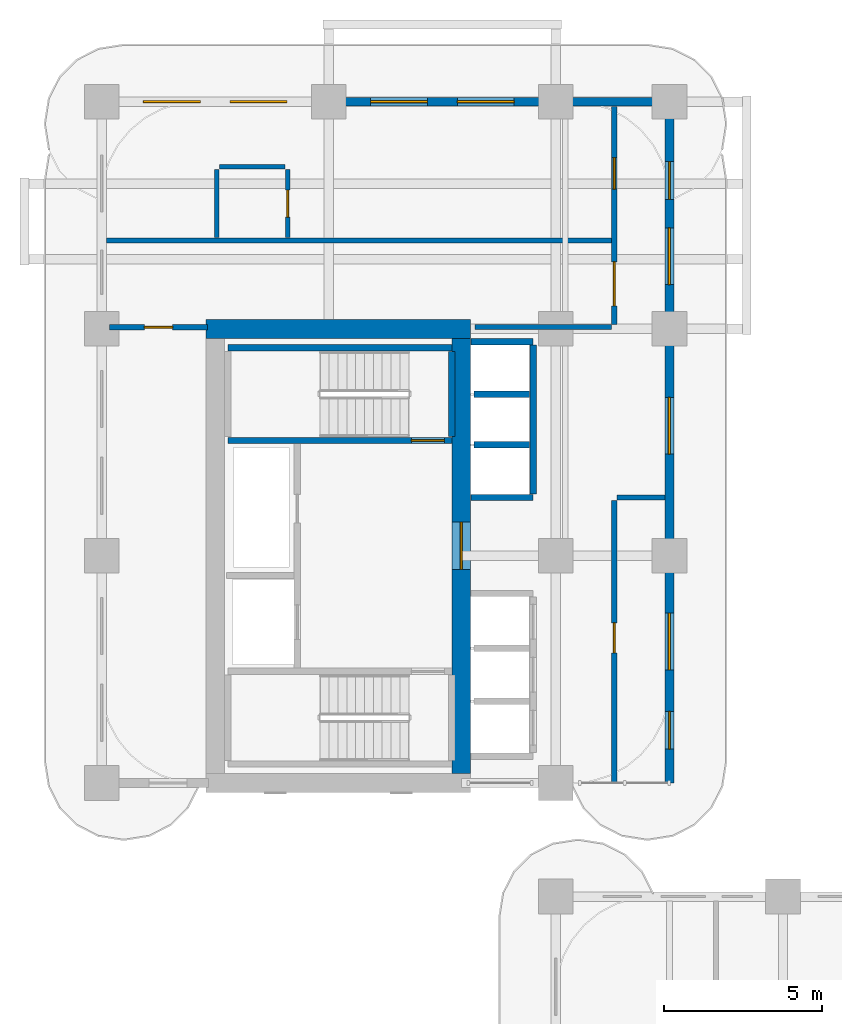
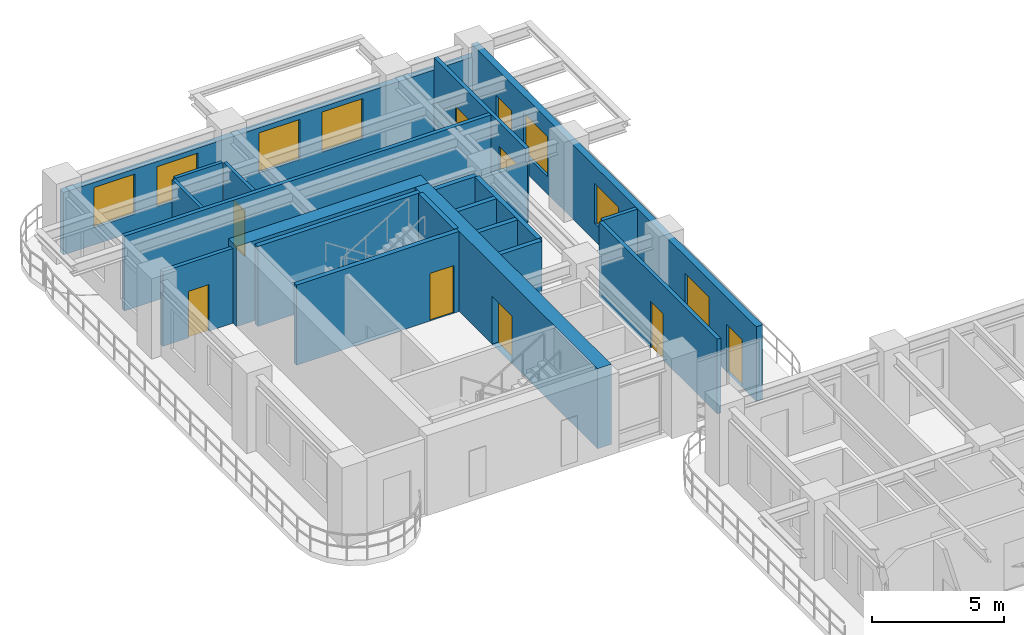
# One storey, part 11 of 19: 21 walls, 9 doors, 7 windows, 16 openings.
"""IFC4 building model written with IfcOpenShell, lengths in metres."""

import ifcopenshell
import ifcopenshell.guid

model = None  # the IFC model being written
_history = None  # IfcOwnerHistory: only IFC2X3 demands one
_inside = {}  # id of a spatial element -> (the spatial element, [elements in it])
_under = {}  # id of a project, library or spatial element -> (it, [spatial elements below it])
_declared = {}  # id of a project -> (the project, [libraries it declares])
_typed = {}  # id of a type object -> (the type object, [elements of that type])
_made_of = {}  # id of a material, layer set ... -> (it, [elements and type objects made of it])


def new_model(schema):
    """Start an empty IFC model of exactly this schema.

    Asked for "IFC4X3", IfcOpenShell would pick the latest addendum, in which some entities
    have other attributes; the version numbers below select the first issue.
    IFC2X3 requires an IfcOwnerHistory on every rooted entity: one is made here for all.
    """
    global model, _history
    if schema == "IFC4X3":
        model = ifcopenshell.file(schema_version=(4, 3, 0, 0))
    else:
        model = ifcopenshell.file(schema=schema)
    _inside.clear()
    _under.clear()
    _declared.clear()
    _typed.clear()
    _made_of.clear()
    _history = None
    if model.schema == "IFC2X3":
        org = make("IfcOrganization", Name="unknown")
        user = make(
            "IfcPersonAndOrganization",
            ThePerson=make("IfcPerson", FamilyName="unknown"),
            TheOrganization=org,
        )
        app = make(
            "IfcApplication",
            ApplicationDeveloper=org,
            Version="unknown",
            ApplicationFullName="unknown",
            ApplicationIdentifier="unknown",
        )
        _history = make(
            "IfcOwnerHistory",
            OwningUser=user,
            OwningApplication=app,
            ChangeAction="ADDED",
            CreationDate=0,
        )
    return model


def make(cls, **values):
    """One entity of the class cls with the attributes given. An attribute that is None is left unset."""
    return model.create_entity(
        cls, **{name: value for name, value in values.items() if value is not None}
    )


def rooted(cls, **values):
    """An entity with a GlobalId (a new one), such as an element, a storey or a relation."""
    return make(cls, GlobalId=ifcopenshell.guid.new(), OwnerHistory=_history, **values)


def si_unit(unit_type, name, prefix=None):
    """IfcSIUnit, for example si_unit("LENGTHUNIT", "METRE", prefix="MILLI")."""
    return make("IfcSIUnit", UnitType=unit_type, Prefix=prefix, Name=name)


def derived_unit(unit_type, elements):
    """IfcDerivedUnit: a product of units, each with its exponent."""
    return make(
        "IfcDerivedUnit",
        Elements=[
            make("IfcDerivedUnitElement", Unit=unit, Exponent=power)
            for unit, power in elements
        ],
        UnitType=unit_type,
    )


def assignment(units):
    """IfcUnitAssignment: the units of a project."""
    return None if units is None else make("IfcUnitAssignment", Units=units)


def point(xyz):
    """IfcCartesianPoint."""
    return None if xyz is None else make("IfcCartesianPoint", Coordinates=xyz)


def direction(xyz):
    """IfcDirection."""
    return None if xyz is None else make("IfcDirection", DirectionRatios=xyz)


def frame(location, z_axis=None, x_axis=None):
    """IfcAxis2Placement3D, a coordinate frame: its origin and axes. An axis left out is left unset."""
    return make(
        "IfcAxis2Placement3D",
        Location=point(location),
        Axis=direction(z_axis),
        RefDirection=direction(x_axis),
    )


def frame_2d(location, x_axis=None):
    """IfcAxis2Placement2D, a coordinate frame in the plane: its origin and x axis."""
    return make(
        "IfcAxis2Placement2D", Location=point(location), RefDirection=direction(x_axis)
    )


def origin():
    """The frame at (0, 0, 0) with its axes left unset."""
    return frame((0.0, 0.0, 0.0))


def place(relative_to, where):
    """IfcLocalPlacement: puts the frame where relative to a parent placement (None: the world)."""
    return make(
        "IfcLocalPlacement", PlacementRelTo=relative_to, RelativePlacement=where
    )


def context(
    kind, dimensions, precision=None, world=None, true_north=None, identifier=None
):
    """IfcGeometricRepresentationContext, for example the 3D "Model" context."""
    return make(
        "IfcGeometricRepresentationContext",
        ContextIdentifier=identifier,
        ContextType=kind,
        CoordinateSpaceDimension=dimensions,
        Precision=precision,
        WorldCoordinateSystem=world,
        TrueNorth=true_north,
    )


def subcontext(parent, identifier, kind, view, scale=None):
    """IfcGeometricRepresentationSubContext, for example "Body" below "Model"."""
    return make(
        "IfcGeometricRepresentationSubContext",
        ContextIdentifier=identifier,
        ContextType=kind,
        ParentContext=parent,
        TargetScale=scale,
        TargetView=view,
    )


def project(units=None, contexts=None):
    """IfcProject with its units and contexts."""
    return rooted(
        "IfcProject",
        Name="project",
        RepresentationContexts=contexts,
        UnitsInContext=assignment(units),
    )


def spatial(cls, under=None, at=None, **own):
    """A site, building, storey or space (cls), placed at a placement, below another one or the project."""
    s = rooted(cls, ObjectPlacement=at, **own)
    if under is not None:
        _under.setdefault(under.id(), (under, []))[1].append(s)
    return s


def profile(cls, at=None, kind="AREA", **sizes):
    """A parametric profile (cls). Its sizes go by their IFC names, for example OverallWidth=200.0."""
    return make(cls, ProfileType=kind, Position=at, **sizes)


def rectangle(**sizes):
    """IfcRectangleProfileDef."""
    return profile("IfcRectangleProfileDef", **sizes)


def extrude(swept, where, along, depth):
    """IfcExtrudedAreaSolid: the profile swept, set in the frame where, extruded along a direction by depth."""
    return make(
        "IfcExtrudedAreaSolid",
        SweptArea=swept,
        Position=where,
        ExtrudedDirection=direction(along),
        Depth=depth,
    )


def shape(context_of_items, identifier, shape_type, items):
    """IfcShapeRepresentation: the items that make up one representation, for example the "Body"."""
    return make(
        "IfcShapeRepresentation",
        ContextOfItems=context_of_items,
        RepresentationIdentifier=identifier,
        RepresentationType=shape_type,
        Items=items,
    )


def source(mapping_origin, context_of_items, identifier, shape_type, items):
    """IfcRepresentationMap: a shape defined once, which mapped items show again and again."""
    return make(
        "IfcRepresentationMap",
        MappingOrigin=mapping_origin,
        MappedRepresentation=shape(context_of_items, identifier, shape_type, items),
    )


def transform(
    local_origin,
    x_axis=None,
    y_axis=None,
    z_axis=None,
    scale=None,
    scale2=None,
    scale3=None,
    uniform=True,
):
    """IfcCartesianTransformationOperator3D, or its non-uniform kind. x_axis, y_axis, z_axis: its Axis1, 2, 3."""
    if uniform:
        return make(
            "IfcCartesianTransformationOperator3D",
            Axis1=direction(x_axis),
            Axis2=direction(y_axis),
            LocalOrigin=point(local_origin),
            Scale=scale,
            Axis3=direction(z_axis),
        )
    return make(
        "IfcCartesianTransformationOperator3DnonUniform",
        Axis1=direction(x_axis),
        Axis2=direction(y_axis),
        LocalOrigin=point(local_origin),
        Scale=scale,
        Axis3=direction(z_axis),
        Scale2=scale2,
        Scale3=scale3,
    )


def mapped(mapping_source, mapping_target):
    """IfcMappedItem: shows the shape of a source again, moved by a transform."""
    return make(
        "IfcMappedItem", MappingSource=mapping_source, MappingTarget=mapping_target
    )


def material(Name=None, Category=None):
    """IfcMaterial."""
    return make("IfcMaterial", Name=Name, Category=Category)


def layer(
    of_material, thickness, ventilated=None, Name=None, Category=None, Priority=None
):
    """IfcMaterialLayer: one layer of a wall or slab, of a material (None: an air gap)."""
    return make(
        "IfcMaterialLayer",
        Material=of_material,
        LayerThickness=thickness,
        IsVentilated=ventilated,
        Name=Name,
        Category=Category,
        Priority=Priority,
    )


def layer_set(layers, Name=None):
    """IfcMaterialLayerSet."""
    return make("IfcMaterialLayerSet", MaterialLayers=layers, LayerSetName=Name)


def made_of(thing, what):
    """Note that an element or type object is made of a material, layer set ...; save() writes the relation."""
    if what is not None:
        _made_of.setdefault(what.id(), (what, []))[1].append(thing)
    return thing


def type_object(cls, material=None, **own):
    """A type object (cls), such as IfcWallType, which elements share."""
    return made_of(rooted(cls, **own), material)


def type_shapes(of_type, sources):
    """Give a type object the sources (RepresentationMaps) that its elements show as mapped items."""
    of_type.RepresentationMaps = sources


def element(
    cls,
    number,
    at=None,
    inside=None,
    cuts=None,
    type_object=None,
    material=None,
    context=None,
    identifier="Body",
    shape_type=None,
    held_by="IfcProductDefinitionShape",
    body=None,
    shapes=None,
    **own,
):
    """One element of the class cls, such as IfcWall. Its Tag is "e" and its number.

    at: its placement. inside: the storey or other place that contains it. cuts: it is an
    opening in that element (IfcRelVoidsElement). A single representation is given by context,
    identifier, shape_type and body (its items); several are given by shapes. held_by: the class
    of the entity that holds the representations. save() writes the other relations.
    """
    e = rooted(cls, Tag="e%d" % number, ObjectPlacement=at, **own)
    if body is not None:
        shapes = [shape(context, identifier, shape_type, body)]
    if shapes is not None:
        e.Representation = make(held_by, Representations=shapes)
    if inside is not None:
        _inside.setdefault(inside.id(), (inside, []))[1].append(e)
    if cuts is not None:
        rooted(
            "IfcRelVoidsElement", RelatingBuildingElement=cuts, RelatedOpeningElement=e
        )
    if type_object is not None:
        _typed.setdefault(type_object.id(), (type_object, []))[1].append(e)
    return made_of(e, material)


def fill(opening, filler):
    """IfcRelFillsElement: the door or window that sits in an opening."""
    return rooted(
        "IfcRelFillsElement",
        RelatingOpeningElement=opening,
        RelatedBuildingElement=filler,
    )


def aggregate(whole, parts):
    """IfcRelAggregates: a whole, such as a stair, and the parts it consists of."""
    return rooted("IfcRelAggregates", RelatingObject=whole, RelatedObjects=parts)


def save(model, path):
    """Write the relations noted so far, then the file.

    IfcRelAggregates (storeys below a building ...), IfcRelContainedInSpatialStructure (elements
    in a storey), IfcRelDefinesByType, IfcRelAssociatesMaterial and IfcRelDeclares: one each for
    every whole, place, type object, material and project.
    """
    for whole, parts in _under.values():
        aggregate(whole, parts)
    for where, things in _inside.values():
        rooted(
            "IfcRelContainedInSpatialStructure",
            RelatedElements=things,
            RelatingStructure=where,
        )
    for kind, things in _typed.values():
        rooted("IfcRelDefinesByType", RelatedObjects=things, RelatingType=kind)
    for what, things in _made_of.values():
        rooted("IfcRelAssociatesMaterial", RelatedObjects=things, RelatingMaterial=what)
    for by, libraries in _declared.values():
        rooted("IfcRelDeclares", RelatingContext=by, RelatedDefinitions=libraries)
    model.write(path)


model = new_model("IFC4")

# Units and contexts
model_context = context("Model", 3, precision=1e-05, world=origin(), true_north=direction((0.0, 1.0)))
body_context = subcontext(model_context, "Body", "Model", "MODEL_VIEW")
ifc_project = project(units=[si_unit("LENGTHUNIT", "METRE"), si_unit("AREAUNIT", "SQUARE_METRE"), si_unit("VOLUMEUNIT", "CUBIC_METRE"), si_unit("PLANEANGLEUNIT", "RADIAN"), si_unit("MASSUNIT", "GRAM", prefix="KILO"), si_unit("THERMODYNAMICTEMPERATUREUNIT", "KELVIN"), si_unit("POWERUNIT", "WATT"), derived_unit("THERMALTRANSMITTANCEUNIT", [(si_unit("POWERUNIT", "WATT"), 1), (si_unit("AREAUNIT", "SQUARE_METRE"), -1), (si_unit("THERMODYNAMICTEMPERATUREUNIT", "KELVIN"), -1)])], contexts=[model_context])

# Site, building, storey
site_placement = place(None, origin())
site = spatial("IfcSite", under=ifc_project, at=site_placement, CompositionType="ELEMENT")
building_placement = place(site_placement, origin())
building = spatial("IfcBuilding", under=site, at=building_placement, Name="Zahravan Archway Hotel and Residences", CompositionType="ELEMENT")
storey_placement = place(building_placement, frame((0.0, 0.0, 43.5)))
storey = spatial("IfcBuildingStorey", under=building, at=storey_placement, Name="L09", CompositionType="ELEMENT", Elevation=43.5)

# Wall
ifc_material_1 = material(Name="Concrete C70/85", Category="concrete")
ifc_layer_1 = layer(ifc_material_1, 0.60009765625, Name="Concrete C70/85", Category="concrete")
ifc_layer_set_1 = layer_set([ifc_layer_1], Name="Concrete C70/85")
wall_type_1 = type_object("IfcWallType", Name="CW-CORE-600", PredefinedType="SHEAR", material=ifc_layer_set_1)
wall_1_placement = place(storey_placement, frame((3.300048828125, 39.60009765625, 0.0), z_axis=(0.0, 0.0, 1.0), x_axis=(1.0, 0.0, 0.0)))
element("IfcWall", 1, at=wall_1_placement, inside=storey, type_object=wall_type_1, Name="L09 Core B Shear N Wall 600 mm", PredefinedType="SHEAR", context=body_context, shape_type="SweptSolid", body=[
    extrude(rectangle(XDim=8.39990234375, YDim=0.60009765625, at=frame_2d((4.199951171875, 0.0))), origin(), (0.0, 0.0, 1.0), 3.699951171875),
])

# Wall, opening, door
wall_2_placement = place(storey_placement, frame((11.39990234375, 25.5, 0.0), z_axis=(0.0, 0.0, 1.0), x_axis=(0.0, 1.0, 0.0)))
wall_2 = element("IfcWall", 2, at=wall_2_placement, inside=storey, type_object=wall_type_1, Name="L09 Core B Shear E Wall 600 mm", PredefinedType="SHEAR", context=body_context, shape_type="SweptSolid", body=[
    extrude(rectangle(XDim=13.800048828125, YDim=0.60009765625, at=frame_2d((6.89990234375, 0.0))), origin(), (0.0, 0.0, 1.0), 3.699951171875),
])
opening_1_placement = place(wall_2_placement, frame((6.469970703125, 0.0, 0.0)))
opening_1 = element("IfcOpeningElement", 3, at=opening_1_placement, cuts=wall_2, Name="Opening FD-L1", PredefinedType="OPENING", context=body_context, shape_type="SweptSolid", body=[
    extrude(rectangle(XDim=1.5, YDim=2.199951171875, at=frame_2d((0.75, 1.10009765625))), frame((0.0, 0.31005859375, 0.0), z_axis=(0.0, -1.0, 0.0), x_axis=(1.0, 0.0, 0.0)), (0.0, 0.0, 1.0), 0.6201171875),
])
ifc_material_2 = material(Name="Fire-Rated Painted Steel", Category="steel")
door_type_1 = type_object("IfcDoorType", Name="FD-LOBBY-1500", OperationType="DOUBLE_DOOR_SINGLE_SWING", PredefinedType="DOOR", material=ifc_material_2)
shared_shape_1 = source(origin(), body_context, "Body", "SweptSolid", [
    extrude(rectangle(XDim=1.5, YDim=2.199951171875, at=frame_2d((0.75, 1.10009765625))), frame((0.0, 0.02490234375, 0.0), z_axis=(0.0, -1.0, 0.0), x_axis=(1.0, 0.0, 0.0)), (0.0, 0.0, 1.0), 0.050048828125),
])
type_shapes(door_type_1, [shared_shape_1])
door_1_placement = place(opening_1_placement, origin())
door_1 = element("IfcDoor", 4, at=door_1_placement, inside=storey, type_object=door_type_1, Name="L09 Core B FSAE Lobby Door", OperationType="DOUBLE_DOOR_SINGLE_SWING", OverallHeight=2.199951171875, OverallWidth=1.5, PredefinedType="DOOR", context=body_context, shape_type="MappedRepresentation", body=[
    mapped(shared_shape_1, transform((0.0, 0.0, 0.0), scale=1.0)),
])
fill(opening_1, door_1)

# Wall, openings, doors, windows
ifc_material_3 = material(Name="Honed Red-Ochre Sandstone & Insulated Block", Category="masonry")
ifc_layer_2 = layer(ifc_material_3, 0.280029296875, Name="Honed Red-Ochre Sandstone & Insulated Block", Category="masonry")
ifc_layer_set_2 = layer_set([ifc_layer_2], Name="Honed Red-Ochre Sandstone & Insulated Block")
wall_type_2 = type_object("IfcWallType", Name="EW-LOG-280", PredefinedType="SOLIDWALL", material=ifc_layer_set_2)
wall_3_placement = place(storey_placement, frame((18.0, 25.199951171875, 0.0), z_axis=(0.0, 0.0, 1.0), x_axis=(0.0, 1.0, 0.0)))
wall_3 = element("IfcWall", 5, at=wall_3_placement, inside=storey, type_object=wall_type_2, Name="L09 Exterior Sandstone Wall WB-E", PredefinedType="SOLIDWALL", context=body_context, shape_type="SweptSolid", body=[
    extrude(rectangle(XDim=21.550048828125, YDim=0.280029296875, at=frame_2d((10.77490234375, 0.0))), origin(), (0.0, 0.0, 1.0), 3.449951171875),
])
opening_2_placement = place(wall_3_placement, frame((18.5, 0.0, 0.0)))
opening_2 = element("IfcOpeningElement", 6, at=opening_2_placement, cuts=wall_3, Name="Opening ED-BL1", PredefinedType="OPENING", context=body_context, shape_type="SweptSolid", body=[
    extrude(rectangle(XDim=1.199951171875, YDim=2.199951171875, at=frame_2d((0.60009765625, 1.10009765625))), frame((0.0, 0.14990234375, 0.0), z_axis=(0.0, -1.0, 0.0), x_axis=(1.0, 0.0, 0.0)), (0.0, 0.0, 1.0), 0.300048828125),
])
opening_3_placement = place(wall_3_placement, frame((1.070068359375, 0.0, 0.0)))
opening_3 = element("IfcOpeningElement", 7, at=opening_3_placement, cuts=wall_3, Name="Opening ED-BL1", PredefinedType="OPENING", context=body_context, shape_type="SweptSolid", body=[
    extrude(rectangle(XDim=1.199951171875, YDim=2.199951171875, at=frame_2d((0.60009765625, 1.10009765625))), frame((0.0, 0.14990234375, 0.0), z_axis=(0.0, -1.0, 0.0), x_axis=(1.0, 0.0, 0.0)), (0.0, 0.0, 1.0), 0.300048828125),
])
opening_4_placement = place(wall_3_placement, frame((3.5849609375, 0.0, 0.800048828125)))
opening_4 = element("IfcOpeningElement", 8, at=opening_4_placement, cuts=wall_3, Name="Opening W-02", PredefinedType="OPENING", context=body_context, shape_type="SweptSolid", body=[
    extrude(rectangle(XDim=1.800048828125, YDim=1.85009765625, at=frame_2d((0.89990234375, 0.925048828125))), frame((0.0, 0.14990234375, 0.0), z_axis=(0.0, -1.0, 0.0), x_axis=(1.0, 0.0, 0.0)), (0.0, 0.0, 1.0), 0.300048828125),
])
opening_5_placement = place(wall_3_placement, frame((10.427978515625, 0.0, 0.800048828125)))
opening_5 = element("IfcOpeningElement", 9, at=opening_5_placement, cuts=wall_3, Name="Opening W-02", PredefinedType="OPENING", context=body_context, shape_type="SweptSolid", body=[
    extrude(rectangle(XDim=1.800048828125, YDim=1.85009765625, at=frame_2d((0.89990234375, 0.925048828125))), frame((0.0, 0.14990234375, 0.0), z_axis=(0.0, -1.0, 0.0), x_axis=(1.0, 0.0, 0.0)), (0.0, 0.0, 1.0), 0.300048828125),
])
opening_6_placement = place(wall_3_placement, frame((15.800048828125, 0.0, 0.800048828125)))
opening_6 = element("IfcOpeningElement", 10, at=opening_6_placement, cuts=wall_3, Name="Opening W-02", PredefinedType="OPENING", context=body_context, shape_type="SweptSolid", body=[
    extrude(rectangle(XDim=1.800048828125, YDim=1.85009765625, at=frame_2d((0.89990234375, 0.925048828125))), frame((0.0, 0.14990234375, 0.0), z_axis=(0.0, -1.0, 0.0), x_axis=(1.0, 0.0, 0.0)), (0.0, 0.0, 1.0), 0.300048828125),
])
ifc_material_4 = material(Name="Bronze-Anodized Glazed Aluminium", Category="aluminium")
door_type_2 = type_object("IfcDoorType", Name="ED-BALC-1200", OperationType="SLIDING_TO_LEFT", PredefinedType="DOOR", material=ifc_material_4)
shared_shape_2 = source(origin(), body_context, "Body", "SweptSolid", [
    extrude(rectangle(XDim=1.199951171875, YDim=2.199951171875, at=frame_2d((0.60009765625, 1.10009765625))), frame((0.0, 0.02490234375, 0.0), z_axis=(0.0, -1.0, 0.0), x_axis=(1.0, 0.0, 0.0)), (0.0, 0.0, 1.0), 0.050048828125),
])
type_shapes(door_type_2, [shared_shape_2])
door_2_placement = place(opening_2_placement, origin())
door_2 = element("IfcDoor", 11, at=door_2_placement, inside=storey, type_object=door_type_2, Name="L09 Outdoor Access Sliding Door (SLB-BAL-L09-NB)", OperationType="SLIDING_TO_LEFT", OverallHeight=2.199951171875, OverallWidth=1.199951171875, PredefinedType="DOOR", context=body_context, shape_type="MappedRepresentation", body=[
    mapped(shared_shape_2, transform((0.0, 0.0, 0.0), scale=1.0)),
])
fill(opening_2, door_2)
door_3_placement = place(opening_3_placement, origin())
door_3 = element("IfcDoor", 12, at=door_3_placement, inside=storey, type_object=door_type_2, Name="L09 Outdoor Access Sliding Door (SLB-BAL-L09-EB)", OperationType="SLIDING_TO_LEFT", OverallHeight=2.199951171875, OverallWidth=1.199951171875, PredefinedType="DOOR", context=body_context, shape_type="MappedRepresentation", body=[
    mapped(shared_shape_2, transform((0.0, 0.0, 0.0), scale=1.0)),
])
fill(opening_3, door_3)
ifc_material_5 = material(Name="Bronze-Anodized Thermal-Break Aluminium & Low-E Glass", Category="aluminium")
window_type = type_object("IfcWindowType", Name="WIN-TWR-1800", PartitioningType="DOUBLE_PANEL_VERTICAL", PredefinedType="WINDOW", material=ifc_material_5)
shared_shape_3 = source(origin(), body_context, "Body", "SweptSolid", [
    extrude(rectangle(XDim=1.800048828125, YDim=1.85009765625, at=frame_2d((0.89990234375, 0.925048828125))), frame((0.0, 0.030029296875, 0.0), z_axis=(0.0, -1.0, 0.0), x_axis=(1.0, 0.0, 0.0)), (0.0, 0.0, 1.0), 0.06005859375),
])
type_shapes(window_type, [shared_shape_3])
window_1_placement = place(opening_4_placement, origin())
window_1 = element("IfcWindow", 13, at=window_1_placement, inside=storey, type_object=window_type, Name="L09 Loggia Window 35", OverallHeight=1.85009765625, OverallWidth=1.800048828125, PartitioningType="DOUBLE_PANEL_VERTICAL", PredefinedType="WINDOW", context=body_context, shape_type="MappedRepresentation", body=[
    mapped(shared_shape_3, transform((0.0, 0.0, 0.0), scale=1.0)),
])
fill(opening_4, window_1)
window_2_placement = place(opening_5_placement, origin())
window_2 = element("IfcWindow", 14, at=window_2_placement, inside=storey, type_object=window_type, Name="L09 Loggia Window 36", OverallHeight=1.85009765625, OverallWidth=1.800048828125, PartitioningType="DOUBLE_PANEL_VERTICAL", PredefinedType="WINDOW", context=body_context, shape_type="MappedRepresentation", body=[
    mapped(shared_shape_3, transform((0.0, 0.0, 0.0), scale=1.0)),
])
fill(opening_5, window_2)
window_3_placement = place(opening_6_placement, origin())
window_3 = element("IfcWindow", 15, at=window_3_placement, inside=storey, type_object=window_type, Name="L09 Loggia Window 37", OverallHeight=1.85009765625, OverallWidth=1.800048828125, PartitioningType="DOUBLE_PANEL_VERTICAL", PredefinedType="WINDOW", context=body_context, shape_type="MappedRepresentation", body=[
    mapped(shared_shape_3, transform((0.0, 0.0, 0.0), scale=1.0)),
])
fill(opening_6, window_3)

# Wall, openings, windows
wall_4_placement = place(storey_placement, frame((0.0, 46.800048828125, 0.0), z_axis=(0.0, 0.0, 1.0), x_axis=(1.0, 0.0, 0.0)))
wall_4 = element("IfcWall", 16, at=wall_4_placement, inside=storey, type_object=wall_type_2, Name="L09 Exterior Sandstone Wall WB-N", PredefinedType="SOLIDWALL", context=body_context, shape_type="SweptSolid", body=[
    extrude(rectangle(XDim=18.0, YDim=0.280029296875, at=frame_2d((9.0, 0.0))), origin(), (0.0, 0.0, 1.0), 2.885009765625),
])
opening_7_placement = place(wall_4_placement, frame((1.324951171875, 0.0, 0.800048828125)))
opening_7 = element("IfcOpeningElement", 17, at=opening_7_placement, cuts=wall_4, Name="Opening W-02", PredefinedType="OPENING", context=body_context, shape_type="SweptSolid", body=[
    extrude(rectangle(XDim=1.800048828125, YDim=1.85009765625, at=frame_2d((0.89990234375, 0.925048828125))), frame((0.0, 0.14990234375, 0.0), z_axis=(0.0, -1.0, 0.0), x_axis=(1.0, 0.0, 0.0)), (0.0, 0.0, 1.0), 0.300048828125),
])
opening_8_placement = place(wall_4_placement, frame((4.074951171875, 0.0, 0.800048828125)))
opening_8 = element("IfcOpeningElement", 18, at=opening_8_placement, cuts=wall_4, Name="Opening W-02", PredefinedType="OPENING", context=body_context, shape_type="SweptSolid", body=[
    extrude(rectangle(XDim=1.800048828125, YDim=1.85009765625, at=frame_2d((0.89990234375, 0.925048828125))), frame((0.0, 0.14990234375, 0.0), z_axis=(0.0, -1.0, 0.0), x_axis=(1.0, 0.0, 0.0)), (0.0, 0.0, 1.0), 0.300048828125),
])
opening_9_placement = place(wall_4_placement, frame((8.52490234375, 0.0, 0.800048828125)))
opening_9 = element("IfcOpeningElement", 19, at=opening_9_placement, cuts=wall_4, Name="Opening W-02", PredefinedType="OPENING", context=body_context, shape_type="SweptSolid", body=[
    extrude(rectangle(XDim=1.800048828125, YDim=1.85009765625, at=frame_2d((0.89990234375, 0.925048828125))), frame((0.0, 0.14990234375, 0.0), z_axis=(0.0, -1.0, 0.0), x_axis=(1.0, 0.0, 0.0)), (0.0, 0.0, 1.0), 0.300048828125),
])
opening_10_placement = place(wall_4_placement, frame((11.27490234375, 0.0, 0.800048828125)))
opening_10 = element("IfcOpeningElement", 20, at=opening_10_placement, cuts=wall_4, Name="Opening W-02", PredefinedType="OPENING", context=body_context, shape_type="SweptSolid", body=[
    extrude(rectangle(XDim=1.800048828125, YDim=1.85009765625, at=frame_2d((0.89990234375, 0.925048828125))), frame((0.0, 0.14990234375, 0.0), z_axis=(0.0, -1.0, 0.0), x_axis=(1.0, 0.0, 0.0)), (0.0, 0.0, 1.0), 0.300048828125),
])
window_4_placement = place(opening_7_placement, origin())
window_4 = element("IfcWindow", 21, at=window_4_placement, inside=storey, type_object=window_type, Name="L09 Loggia Window 38", OverallHeight=1.85009765625, OverallWidth=1.800048828125, PartitioningType="DOUBLE_PANEL_VERTICAL", PredefinedType="WINDOW", context=body_context, shape_type="MappedRepresentation", body=[
    mapped(shared_shape_3, transform((0.0, 0.0, 0.0), scale=1.0)),
])
fill(opening_7, window_4)
window_5_placement = place(opening_8_placement, origin())
window_5 = element("IfcWindow", 22, at=window_5_placement, inside=storey, type_object=window_type, Name="L09 Loggia Window 39", OverallHeight=1.85009765625, OverallWidth=1.800048828125, PartitioningType="DOUBLE_PANEL_VERTICAL", PredefinedType="WINDOW", context=body_context, shape_type="MappedRepresentation", body=[
    mapped(shared_shape_3, transform((0.0, 0.0, 0.0), scale=1.0)),
])
fill(opening_8, window_5)
window_6_placement = place(opening_9_placement, origin())
window_6 = element("IfcWindow", 23, at=window_6_placement, inside=storey, type_object=window_type, Name="L09 Loggia Window 40", OverallHeight=1.85009765625, OverallWidth=1.800048828125, PartitioningType="DOUBLE_PANEL_VERTICAL", PredefinedType="WINDOW", context=body_context, shape_type="MappedRepresentation", body=[
    mapped(shared_shape_3, transform((0.0, 0.0, 0.0), scale=1.0)),
])
fill(opening_9, window_6)
window_7_placement = place(opening_10_placement, origin())
window_7 = element("IfcWindow", 24, at=window_7_placement, inside=storey, type_object=window_type, Name="L09 Loggia Window 41", OverallHeight=1.85009765625, OverallWidth=1.800048828125, PartitioningType="DOUBLE_PANEL_VERTICAL", PredefinedType="WINDOW", context=body_context, shape_type="MappedRepresentation", body=[
    mapped(shared_shape_3, transform((0.0, 0.0, 0.0), scale=1.0)),
])
fill(opening_10, window_7)

# Wall, opening, door
ifc_material_6 = material(Name="Fire-Rated Gypsum & Concrete Block", Category="concrete")
ifc_layer_3 = layer(ifc_material_6, 0.159912109375, Name="Fire-Rated Gypsum & Concrete Block", Category="concrete")
ifc_layer_set_3 = layer_set([ifc_layer_3], Name="Fire-Rated Gypsum & Concrete Block")
wall_type_3 = type_object("IfcWallType", Name="PW-CORR-160", PredefinedType="PARTITIONING", material=ifc_layer_set_3)
wall_5_placement = place(storey_placement, frame((16.25, 25.22802734375, 0.0), z_axis=(0.0, 0.0, 1.0), x_axis=(0.0, 1.0, 0.0)))
wall_5 = element("IfcWall", 25, at=wall_5_placement, inside=storey, type_object=wall_type_3, Name="L09 Partition WB-CE", PredefinedType="PARTITIONING", context=body_context, shape_type="SweptSolid", body=[
    extrude(rectangle(XDim=8.931884765625, YDim=0.159912109375, at=frame_2d((4.4658203125, 0.0))), origin(), (0.0, 0.0, 1.0), 3.449951171875),
])
opening_11_placement = place(wall_5_placement, frame((4.096923828125, 0.0, 0.0)))
opening_11 = element("IfcOpeningElement", 26, at=opening_11_placement, cuts=wall_5, Name="Opening D-I1", PredefinedType="OPENING", context=body_context, shape_type="SweptSolid", body=[
    extrude(rectangle(XDim=0.949951171875, YDim=2.14990234375, at=frame_2d((0.47509765625, 1.074951171875))), frame((0.0, 0.08984375, 0.0), z_axis=(0.0, -1.0, 0.0), x_axis=(1.0, 0.0, 0.0)), (0.0, 0.0, 1.0), 0.179931640625),
])
ifc_material_7 = material(Name="Hardwood Veneer Timber", Category="wood")
door_type_3 = type_object("IfcDoorType", Name="ID-INT-950", OperationType="NOTDEFINED", PredefinedType="DOOR", material=ifc_material_7)
shared_shape_4 = source(origin(), body_context, "Body", "SweptSolid", [
    extrude(rectangle(XDim=0.949951171875, YDim=2.14990234375, at=frame_2d((0.47509765625, 1.074951171875))), frame((0.0, 0.02490234375, 0.0), z_axis=(0.0, -1.0, 0.0), x_axis=(1.0, 0.0, 0.0)), (0.0, 0.0, 1.0), 0.050048828125),
])
type_shapes(door_type_3, [shared_shape_4])
door_4_placement = place(opening_11_placement, origin())
door_4 = element("IfcDoor", 27, at=door_4_placement, inside=storey, type_object=door_type_3, Name="L09 Wing B Portal Study Door", OperationType="SINGLE_SWING_LEFT", OverallHeight=2.14990234375, OverallWidth=0.949951171875, PredefinedType="DOOR", context=body_context, shape_type="MappedRepresentation", body=[
    mapped(shared_shape_4, transform((0.0, 0.0, 0.0), scale=1.0)),
])
fill(opening_11, door_4)

# Wall
wall_6_placement = place(storey_placement, frame((16.340087890625, 34.25, 0.0), z_axis=(0.0, 0.0, 1.0), x_axis=(1.0, 0.0, 0.0)))
element("IfcWall", 28, at=wall_6_placement, inside=storey, type_object=wall_type_3, Name="L09 Partition WB-CS", PredefinedType="PARTITIONING", context=body_context, shape_type="SweptSolid", body=[
    extrude(rectangle(XDim=1.511962890625, YDim=0.159912109375, at=frame_2d((0.755859375, 0.0))), origin(), (0.0, 0.0, 1.0), 3.449951171875),
])

# Wall, openings, doors
wall_7_placement = place(storey_placement, frame((16.25, 39.739990234375, 0.0), z_axis=(0.0, 0.0, 1.0), x_axis=(0.0, 1.0, 0.0)))
wall_7 = element("IfcWall", 29, at=wall_7_placement, inside=storey, type_object=wall_type_3, Name="L09 Partition WB-CN", PredefinedType="PARTITIONING", context=body_context, shape_type="SweptSolid", body=[
    extrude(rectangle(XDim=6.912109375, YDim=0.159912109375, at=frame_2d((3.4560546875, 0.0))), origin(), (0.0, 0.0, 1.0), 3.449951171875),
])
opening_12_placement = place(wall_7_placement, frame((0.5849609375, 0.0, 0.0)))
opening_12 = element("IfcOpeningElement", 30, at=opening_12_placement, cuts=wall_7, Name="Opening D-P1", PredefinedType="OPENING", context=body_context, shape_type="SweptSolid", body=[
    extrude(rectangle(XDim=1.39990234375, YDim=2.35009765625, at=frame_2d((0.699951171875, 1.175048828125))), frame((0.0, 0.08984375, 0.0), z_axis=(0.0, -1.0, 0.0), x_axis=(1.0, 0.0, 0.0)), (0.0, 0.0, 1.0), 0.179931640625),
])
opening_13_placement = place(wall_7_placement, frame((4.284912109375, 0.0, 0.0)))
opening_13 = element("IfcOpeningElement", 31, at=opening_13_placement, cuts=wall_7, Name="Opening D-U2", PredefinedType="OPENING", context=body_context, shape_type="SweptSolid", body=[
    extrude(rectangle(XDim=1.0, YDim=2.199951171875, at=frame_2d((0.5, 1.10009765625))), frame((0.0, 0.08984375, 0.0), z_axis=(0.0, -1.0, 0.0), x_axis=(1.0, 0.0, 0.0)), (0.0, 0.0, 1.0), 0.179931640625),
])
door_type_4 = type_object("IfcDoorType", Name="ID-PUBLIC-1400", OperationType="DOUBLE_DOOR_SINGLE_SWING", PredefinedType="DOOR", material=ifc_material_4)
shared_shape_5 = source(origin(), body_context, "Body", "SweptSolid", [
    extrude(rectangle(XDim=1.39990234375, YDim=2.35009765625, at=frame_2d((0.699951171875, 1.175048828125))), frame((0.0, 0.02490234375, 0.0), z_axis=(0.0, -1.0, 0.0), x_axis=(1.0, 0.0, 0.0)), (0.0, 0.0, 1.0), 0.050048828125),
])
type_shapes(door_type_4, [shared_shape_5])
door_5_placement = place(opening_12_placement, origin())
door_5 = element("IfcDoor", 32, at=door_5_placement, inside=storey, type_object=door_type_4, Name="L09 Wing B Wellness Lounge Door", OperationType="DOUBLE_DOOR_SINGLE_SWING", OverallHeight=2.35009765625, OverallWidth=1.39990234375, PredefinedType="DOOR", context=body_context, shape_type="MappedRepresentation", body=[
    mapped(shared_shape_5, transform((0.0, 0.0, 0.0), scale=1.0)),
])
fill(opening_12, door_5)
door_type_5 = type_object("IfcDoorType", Name="ID-UNIT-1000", OperationType="NOTDEFINED", PredefinedType="DOOR", material=ifc_material_7)
shared_shape_6 = source(origin(), body_context, "Body", "SweptSolid", [
    extrude(rectangle(XDim=1.0, YDim=2.199951171875, at=frame_2d((0.5, 1.10009765625))), frame((0.0, 0.02490234375, 0.0), z_axis=(0.0, -1.0, 0.0), x_axis=(1.0, 0.0, 0.0)), (0.0, 0.0, 1.0), 0.050048828125),
])
type_shapes(door_type_5, [shared_shape_6])
door_6_placement = place(opening_13_placement, origin())
door_6 = element("IfcDoor", 33, at=door_6_placement, inside=storey, type_object=door_type_5, Name="L09 Hotel Guestroom 63 Entrance Door", OperationType="SINGLE_SWING_RIGHT", OverallHeight=2.199951171875, OverallWidth=1.0, PredefinedType="DOOR", context=body_context, shape_type="MappedRepresentation", body=[
    mapped(shared_shape_6, transform((0.0, 0.0, 0.0), scale=1.0)),
])
fill(opening_13, door_6)

# Walls
wall_8_placement = place(storey_placement, frame((11.840087890625, 39.64990234375, 0.0), z_axis=(0.0, 0.0, 1.0), x_axis=(1.0, 0.0, 0.0)))
element("IfcWall", 34, at=wall_8_placement, inside=storey, type_object=wall_type_3, Name="L09 Partition WB-NS2", PredefinedType="PARTITIONING", context=body_context, shape_type="SweptSolid", body=[
    extrude(rectangle(XDim=4.31982421875, YDim=0.159912109375, at=frame_2d((2.159912109375, 0.0))), origin(), (0.0, 0.0, 1.0), 2.885009765625),
])
ifc_layer_4 = layer(ifc_material_6, 0.199951171875, Name="Fire-Rated Gypsum & Concrete Block", Category="concrete")
ifc_layer_set_4 = layer_set([ifc_layer_4], Name="Fire-Rated Gypsum & Concrete Block")
wall_type_4 = type_object("IfcWallType", Name="PW-SHAFT-200", PredefinedType="PARTITIONING", material=ifc_layer_set_4)
for number, where, z_axis, x_axis, name in (
    (35, (11.7099609375, 34.25, 0.0), (0.0, 0.0, 1.0), (1.0, 0.0, 0.0), "L09 Partition B2-S"),
    (36, (11.7099609375, 39.18994140625, 0.0), (0.0, 0.0, 1.0), (1.0, 0.0, 0.0), "L09 Partition B2-N"),
):
    element("IfcWall", number, at=place(storey_placement, frame(where, z_axis=z_axis, x_axis=x_axis)), inside=storey, type_object=wall_type_4, Name=name, PredefinedType="PARTITIONING", context=body_context, shape_type="SweptSolid", body=[
        extrude(rectangle(XDim=1.9599609375, YDim=0.199951171875, at=frame_2d((0.97998046875, 0.0))), origin(), (0.0, 0.0, 1.0), 3.449951171875),
    ])
wall_9_placement = place(storey_placement, frame((13.679931640625, 34.360107421875, 0.0), z_axis=(0.0, 0.0, 1.0), x_axis=(0.0, 1.0, 0.0)))
element("IfcWall", 37, at=wall_9_placement, inside=storey, type_object=wall_type_4, Name="L09 Partition B2-E", PredefinedType="PARTITIONING", context=body_context, shape_type="SweptSolid", body=[
    extrude(rectangle(XDim=4.719970703125, YDim=0.199951171875, at=frame_2d((2.35986328125, 0.0))), origin(), (0.0, 0.0, 1.0), 3.449951171875),
])
for number, where, z_axis, x_axis, name in (
    (38, (11.81005859375, 35.919921875, 0.0), (0.0, 0.0, 1.0), (1.0, 0.0, 0.0), "L09 Partition B2-D"),
    (39, (11.81005859375, 37.52001953125, 0.0), (0.0, 0.0, 1.0), (1.0, 0.0, 0.0), "L09 Partition B2-D"),
):
    element("IfcWall", number, at=place(storey_placement, frame(where, z_axis=z_axis, x_axis=x_axis)), inside=storey, type_object=wall_type_4, Name=name, PredefinedType="PARTITIONING", context=body_context, shape_type="SweptSolid", body=[
        extrude(rectangle(XDim=1.760009765625, YDim=0.199951171875, at=frame_2d((0.8798828125, 0.0))), origin(), (0.0, 0.0, 1.0), 3.449951171875),
    ])

# Wall, opening, door
ifc_material_8 = material(Name="Acoustic Stud Partition")
ifc_layer_5 = layer(ifc_material_8, 0.169921875, Name="Acoustic Stud Partition")
ifc_layer_set_5 = layer_set([ifc_layer_5], Name="Acoustic Stud Partition")
wall_type_5 = type_object("IfcWallType", Name="PW-UNIT-170", PredefinedType="PARTITIONING", material=ifc_layer_set_5)
wall_10_placement = place(storey_placement, frame((0.239990234375, 39.64990234375, 0.0), z_axis=(0.0, 0.0, 1.0), x_axis=(1.0, 0.0, 0.0)))
wall_10 = element("IfcWall", 40, at=wall_10_placement, inside=storey, type_object=wall_type_5, Name="L09 Partition WB-NS", PredefinedType="PARTITIONING", context=body_context, shape_type="SweptSolid", body=[
    extrude(rectangle(XDim=3.1201171875, YDim=0.169921875, at=frame_2d((1.56005859375, 0.0))), origin(), (0.0, 0.0, 1.0), 3.449951171875),
])
opening_14_placement = place(wall_10_placement, frame((1.110107421875, 0.0, 0.0)))
opening_14 = element("IfcOpeningElement", 41, at=opening_14_placement, cuts=wall_10, Name="Opening D-I2", PredefinedType="OPENING", context=body_context, shape_type="SweptSolid", body=[
    extrude(rectangle(XDim=0.89990234375, YDim=2.14990234375, at=frame_2d((0.449951171875, 1.074951171875))), frame((0.0, 0.094970703125, 0.0), z_axis=(0.0, -1.0, 0.0), x_axis=(1.0, 0.0, 0.0)), (0.0, 0.0, 1.0), 0.18994140625),
])
door_type_6 = type_object("IfcDoorType", Name="ID-INT-900", OperationType="NOTDEFINED", PredefinedType="DOOR", material=ifc_material_7)
shared_shape_7 = source(origin(), body_context, "Body", "SweptSolid", [
    extrude(rectangle(XDim=0.89990234375, YDim=2.14990234375, at=frame_2d((0.449951171875, 1.074951171875))), frame((0.0, 0.02490234375, 0.0), z_axis=(0.0, -1.0, 0.0), x_axis=(1.0, 0.0, 0.0)), (0.0, 0.0, 1.0), 0.050048828125),
])
type_shapes(door_type_6, [shared_shape_7])
door_7_placement = place(opening_14_placement, origin())
door_7 = element("IfcDoor", 42, at=door_7_placement, inside=storey, type_object=door_type_6, Name="L09 Wing B West Loggia Salon Door", OperationType="SINGLE_SWING_RIGHT", OverallHeight=2.14990234375, OverallWidth=0.89990234375, PredefinedType="DOOR", context=body_context, shape_type="MappedRepresentation", body=[
    mapped(shared_shape_7, transform((0.0, 0.0, 0.0), scale=1.0)),
])
fill(opening_14, door_7)

# Walls
wall_11_placement = place(storey_placement, frame((0.14794921875, 42.39990234375, 0.0), z_axis=(0.0, 0.0, 1.0), x_axis=(1.0, 0.0, 0.0)))
element("IfcWall", 43, at=wall_11_placement, inside=storey, type_object=wall_type_5, Name="L09 Partition WB-NH2", PredefinedType="PARTITIONING", context=body_context, shape_type="SweptSolid", body=[
    extrude(rectangle(XDim=16.011962890625, YDim=0.169921875, at=frame_2d((8.005859375, 0.0))), origin(), (0.0, 0.0, 1.0), 3.449951171875),
])
ifc_material_9 = material(Name="Moisture-Resistant Blockwork", Category="masonry")
ifc_layer_6 = layer(ifc_material_9, 0.139892578125, Name="Moisture-Resistant Blockwork", Category="masonry")
ifc_layer_set_6 = layer_set([ifc_layer_6], Name="Moisture-Resistant Blockwork")
wall_type_6 = type_object("IfcWallType", Name="PW-WET-140", PredefinedType="PARTITIONING", material=ifc_layer_set_6)
wall_12_placement = place(storey_placement, frame((3.64990234375, 42.489990234375, 0.0), z_axis=(0.0, 0.0, 1.0), x_axis=(0.0, 1.0, 0.0)))
element("IfcWall", 44, at=wall_12_placement, inside=storey, type_object=wall_type_6, Name="L09 Partition HKB-VL63", PredefinedType="PARTITIONING", context=body_context, shape_type="SweptSolid", body=[
    extrude(rectangle(XDim=2.157958984375, YDim=0.139892578125, at=frame_2d((1.0791015625, 0.0))), origin(), (0.0, 0.0, 1.0), 3.449951171875),
])
wall_13_placement = place(storey_placement, frame((3.739990234375, 44.738037109375, 0.0), z_axis=(0.0, 0.0, 1.0), x_axis=(1.0, 0.0, 0.0)))
element("IfcWall", 45, at=wall_13_placement, inside=storey, type_object=wall_type_6, Name="L09 Partition HKB-H63", PredefinedType="PARTITIONING", context=body_context, shape_type="SweptSolid", body=[
    extrude(rectangle(XDim=2.070068359375, YDim=0.139892578125, at=frame_2d((1.03515625, 0.0))), origin(), (0.0, 0.0, 1.0), 3.449951171875),
])

# Wall, opening, door
wall_14_placement = place(storey_placement, frame((5.89990234375, 42.489990234375, 0.0), z_axis=(0.0, 0.0, 1.0), x_axis=(0.0, 1.0, 0.0)))
wall_14 = element("IfcWall", 46, at=wall_14_placement, inside=storey, type_object=wall_type_6, Name="L09 Partition HKB-V63", PredefinedType="PARTITIONING", context=body_context, shape_type="SweptSolid", body=[
    extrude(rectangle(XDim=2.157958984375, YDim=0.139892578125, at=frame_2d((1.0791015625, 0.0))), origin(), (0.0, 0.0, 1.0), 3.449951171875),
])
opening_15_placement = place(wall_14_placement, frame((0.654052734375, 0.0, 0.0)))
opening_15 = element("IfcOpeningElement", 47, at=opening_15_placement, cuts=wall_14, Name="Opening D-B1", PredefinedType="OPENING", context=body_context, shape_type="SweptSolid", body=[
    extrude(rectangle(XDim=0.85009765625, YDim=2.10009765625, at=frame_2d((0.425048828125, 1.050048828125))), frame((0.0, 0.080078125, 0.0), z_axis=(0.0, -1.0, 0.0), x_axis=(1.0, 0.0, 0.0)), (0.0, 0.0, 1.0), 0.159912109375),
])
door_type_7 = type_object("IfcDoorType", Name="ID-BATH-850", OperationType="NOTDEFINED", PredefinedType="DOOR", material=ifc_material_7)
shared_shape_8 = source(origin(), body_context, "Body", "SweptSolid", [
    extrude(rectangle(XDim=0.85009765625, YDim=2.10009765625, at=frame_2d((0.425048828125, 1.050048828125))), frame((0.0, 0.02490234375, 0.0), z_axis=(0.0, -1.0, 0.0), x_axis=(1.0, 0.0, 0.0)), (0.0, 0.0, 1.0), 0.050048828125),
])
type_shapes(door_type_7, [shared_shape_8])
door_8_placement = place(opening_15_placement, origin())
door_8 = element("IfcDoor", 48, at=door_8_placement, inside=storey, type_object=door_type_7, Name="L09 Guestroom 63 En-Suite Door", OperationType="SINGLE_SWING_LEFT", OverallHeight=2.10009765625, OverallWidth=0.85009765625, PredefinedType="DOOR", context=body_context, shape_type="MappedRepresentation", body=[
    mapped(shared_shape_8, transform((0.0, 0.0, 0.0), scale=1.0)),
])
fill(opening_15, door_8)

# Walls
ifc_material_10 = material(Name="Concrete C50/60", Category="concrete")
ifc_layer_7 = layer(ifc_material_10, 0.199951171875, Name="Concrete C50/60", Category="concrete")
ifc_layer_set_7 = layer_set([ifc_layer_7], Name="Concrete C50/60")
wall_type_7 = type_object("IfcWallType", Name="SW-STAIR-200", PredefinedType="SHEAR", material=ifc_layer_set_7)
wall_15_placement = place(storey_placement, frame((4.0, 39.0, 0.0), z_axis=(0.0, 0.0, 1.0), x_axis=(1.0, 0.0, 0.0)))
element("IfcWall", 49, at=wall_15_placement, inside=storey, type_object=wall_type_7, Name="L09 Stairwell RC Wall CB-SB2N", PredefinedType="SHEAR", context=body_context, shape_type="SweptSolid", body=[
    extrude(rectangle(XDim=7.10009765625, YDim=0.199951171875, at=frame_2d((3.550048828125, 0.0))), origin(), (0.0, 0.0, 1.0), 3.699951171875),
])
wall_16_placement = place(storey_placement, frame((11.10009765625, 36.179931640625, 0.0), z_axis=(0.0, 0.0, 1.0), x_axis=(0.0, 1.0, 0.0)))
element("IfcWall", 50, at=wall_16_placement, inside=storey, type_object=wall_type_7, Name="L09 Stairwell RC Wall CB-SB2E", PredefinedType="SHEAR", context=body_context, shape_type="SweptSolid", body=[
    extrude(rectangle(XDim=2.699951171875, YDim=0.199951171875, at=frame_2d((1.35009765625, 0.0))), origin(), (0.0, 0.0, 1.0), 3.699951171875),
])

# Wall, opening, door
wall_17_placement = place(storey_placement, frame((4.0, 36.06005859375, 0.0), z_axis=(0.0, 0.0, 1.0), x_axis=(1.0, 0.0, 0.0)))
wall_17 = element("IfcWall", 51, at=wall_17_placement, inside=storey, type_object=wall_type_7, Name="L09 Stairwell RC Wall CB-SB2S", PredefinedType="SHEAR", context=body_context, shape_type="SweptSolid", body=[
    extrude(rectangle(XDim=7.10009765625, YDim=0.199951171875, at=frame_2d((3.550048828125, 0.0))), origin(), (0.0, 0.0, 1.0), 3.699951171875),
])
opening_16_placement = place(wall_17_placement, frame((5.81494140625, 0.0, 0.0)))
opening_16 = element("IfcOpeningElement", 52, at=opening_16_placement, cuts=wall_17, Name="Opening FD-S1", PredefinedType="OPENING", context=body_context, shape_type="SweptSolid", body=[
    extrude(rectangle(XDim=1.050048828125, YDim=2.199951171875, at=frame_2d((0.52490234375, 1.10009765625))), frame((0.0, 0.10986328125, 0.0), z_axis=(0.0, -1.0, 0.0), x_axis=(1.0, 0.0, 0.0)), (0.0, 0.0, 1.0), 0.219970703125),
])
door_type_8 = type_object("IfcDoorType", Name="FD-STAIR-1100", OperationType="NOTDEFINED", PredefinedType="DOOR", material=ifc_material_2)
shared_shape_9 = source(origin(), body_context, "Body", "SweptSolid", [
    extrude(rectangle(XDim=1.050048828125, YDim=2.199951171875, at=frame_2d((0.52490234375, 1.10009765625))), frame((0.0, 0.02490234375, 0.0), z_axis=(0.0, -1.0, 0.0), x_axis=(1.0, 0.0, 0.0)), (0.0, 0.0, 1.0), 0.050048828125),
])
type_shapes(door_type_8, [shared_shape_9])
door_9_placement = place(opening_16_placement, origin())
door_9 = element("IfcDoor", 53, at=door_9_placement, inside=storey, type_object=door_type_8, Name="L09 Stair ST-B2 Door", OperationType="SINGLE_SWING_LEFT", OverallHeight=2.199951171875, OverallWidth=1.050048828125, PredefinedType="DOOR", context=body_context, shape_type="MappedRepresentation", body=[
    mapped(shared_shape_9, transform((0.0, 0.0, 0.0), scale=1.0)),
])
fill(opening_16, door_9)

save(model, "model.ifc")
